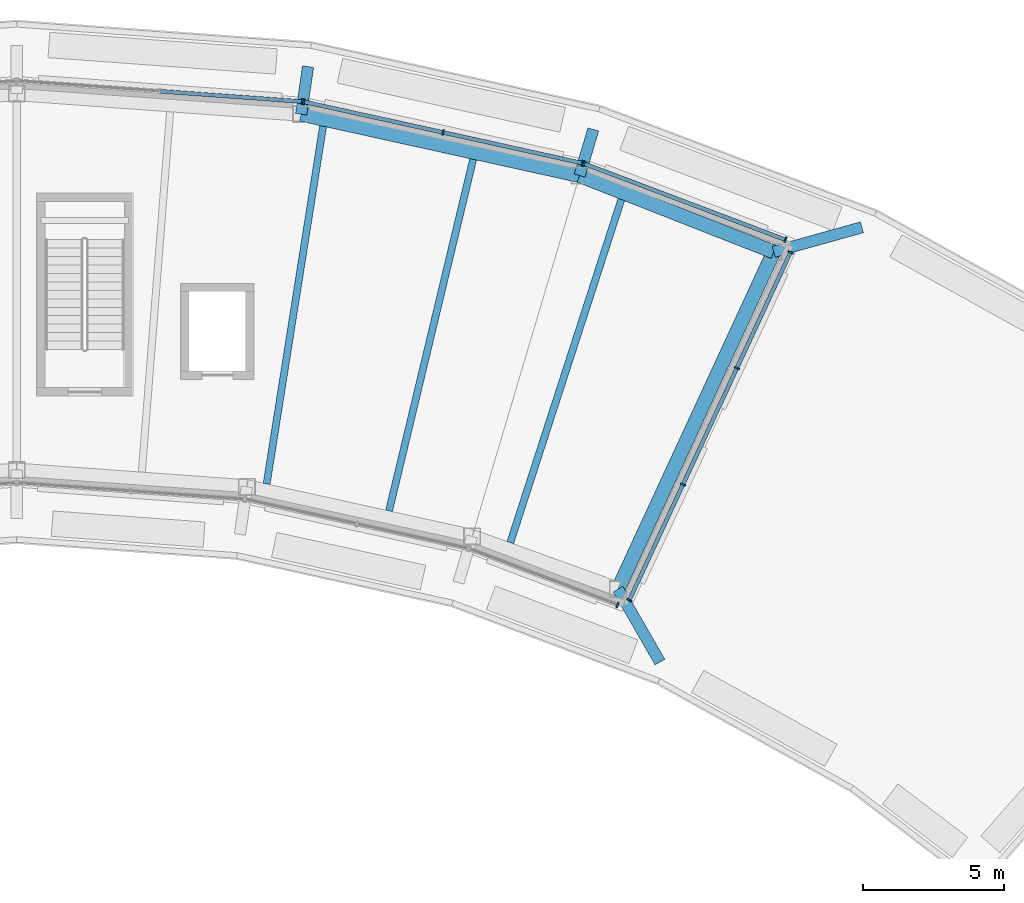
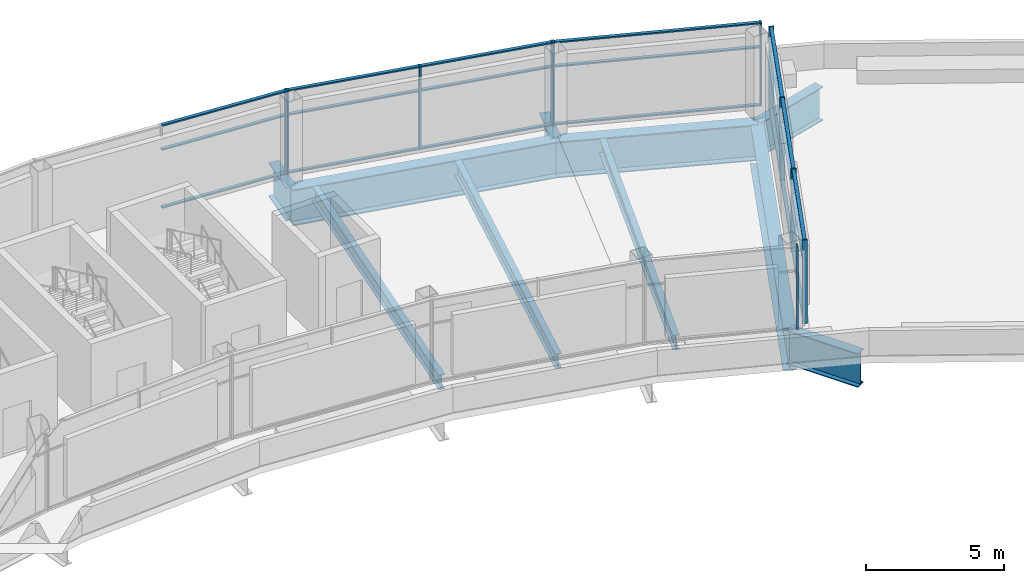
# One storey, part 4 of 9: 32 members, 10 beams, 5 elements without a shape of their own.
"""IFC4 building model written with IfcOpenShell, lengths in metres."""

from ifc_helpers import new_model, si_unit, direction, frame, origin, origin_2d, place, context, subcontext, project, spatial, rectangle, i_section, extrude, material, layer, layer_set, material_profile, profile_set, type_object, element, aggregate, save


model = new_model("IFC4")

# Units and contexts
model_context = context("Model", 3, precision=1e-05, world=origin(), true_north=direction((0.0, 1.0)))
body_context = subcontext(model_context, "Body", "Model", "MODEL_VIEW")
ifc_project = project(units=[si_unit("LENGTHUNIT", "METRE"), si_unit("AREAUNIT", "SQUARE_METRE"), si_unit("VOLUMEUNIT", "CUBIC_METRE"), si_unit("PLANEANGLEUNIT", "RADIAN"), si_unit("MASSUNIT", "GRAM", prefix="KILO")], contexts=[model_context])

# Site, building, storey
site_placement = place(None, origin())
site = spatial("IfcSite", under=ifc_project, at=site_placement, CompositionType="ELEMENT")
building_placement = place(site_placement, origin())
building = spatial("IfcBuilding", under=site, at=building_placement, Name="Tuul Gate Civic Tower", CompositionType="ELEMENT")
storey_placement = place(building_placement, frame((0.0, 0.0, 368.10009765625)))
storey = spatial("IfcBuildingStorey", under=building, at=storey_placement, Name="Crown tier 2 lower", CompositionType="ELEMENT", Elevation=368.10009765625)

# Curtain wall, members
ifc_material_1 = material(Name="Aluminium", Category="aluminium")
ifc_layer = layer(ifc_material_1, 0.199951171875)
ifc_layer_set = layer_set([ifc_layer], Name="Aluminium")
curtain_wall_type = type_object("IfcCurtainWallType", Name="Curtain wall CW5", PredefinedType="NOTDEFINED", material=ifc_layer_set)
curtain_wall_1_placement = place(storey_placement, origin())
curtain_wall_1 = element("IfcCurtainWall", 1, at=curtain_wall_1_placement, inside=storey, type_object=curtain_wall_type, Name="Curtain wall CW5", PredefinedType="NOTDEFINED")
ifc_material_2 = material(Name="Aluminium", Category="aluminium")
ifc_material_profile_1 = material_profile(ifc_material_2, rectangle(XDim=0.199951171875, YDim=0.06005859375, at=origin_2d()), Name="CW5 mullion")
ifc_profile_set_1 = profile_set([ifc_material_profile_1], Name="Aluminium")
member_type_1 = type_object("IfcMemberType", Name="CW5 mullion", PredefinedType="MULLION", material=ifc_profile_set_1)
member_1_placement = place(storey_placement, frame((29.413818359375, 4.6396484375, 0.0), z_axis=(0.0, 0.0, 1.0), x_axis=(-0.353645993643, -0.935379340792, 0.0)))
member_1 = element("IfcMember", 2, at=member_1_placement, type_object=member_type_1, Name="Mullion", PredefinedType="MULLION", context=body_context, shape_type="SweptSolid", body=[
    extrude(rectangle(XDim=0.199951171875, YDim=0.06005859375, at=origin_2d()), origin(), (0.0, 0.0, 1.0), 3.699951171875),
])
member_2_placement = place(storey_placement, frame((22.281005859375, 7.33642578125, 0.0), z_axis=(0.0, 0.0, 1.0), x_axis=(-0.353645993643, -0.935379340792, 0.0)))
member_2 = element("IfcMember", 3, at=member_2_placement, type_object=member_type_1, Name="Mullion", PredefinedType="MULLION", context=body_context, shape_type="SweptSolid", body=[
    extrude(rectangle(XDim=0.199951171875, YDim=0.06005859375, at=origin_2d()), origin(), (0.0, 0.0, 1.0), 3.699951171875),
])

curtain_wall_2_placement = place(storey_placement, origin())
curtain_wall_2 = element("IfcCurtainWall", 4, at=curtain_wall_2_placement, inside=storey, type_object=curtain_wall_type, Name="Curtain wall CW5", PredefinedType="NOTDEFINED")
member_3_placement = place(storey_placement, frame((22.2236328125, 7.353515625, 0.0), z_axis=(0.0, 0.0, 1.0), x_axis=(-0.215210934562, -0.976567587853, 0.0)))
member_3 = element("IfcMember", 5, at=member_3_placement, type_object=member_type_1, Name="Mullion", PredefinedType="MULLION", context=body_context, shape_type="SweptSolid", body=[
    extrude(rectangle(XDim=0.199951171875, YDim=0.06005859375, at=origin_2d()), origin(), (0.0, 0.0, 1.0), 3.699951171875),
])
member_4_placement = place(storey_placement, frame((17.291015625, 8.4404296875, 0.0), z_axis=(0.0, 0.0, 1.0), x_axis=(-0.215210934562, -0.976567587853, 0.0)))
member_4 = element("IfcMember", 6, at=member_4_placement, type_object=member_type_1, Name="Mullion", PredefinedType="MULLION", context=body_context, shape_type="SweptSolid", body=[
    extrude(rectangle(XDim=0.199951171875, YDim=0.06005859375, at=origin_2d()), origin(), (0.0, 0.0, 1.0), 3.699951171875),
])
member_5_placement = place(storey_placement, frame((12.3583984375, 9.527587890625, 0.0), z_axis=(0.0, 0.0, 1.0), x_axis=(-0.215210934562, -0.976567587853, 0.0)))
member_5 = element("IfcMember", 7, at=member_5_placement, type_object=member_type_1, Name="Mullion", PredefinedType="MULLION", context=body_context, shape_type="SweptSolid", body=[
    extrude(rectangle(XDim=0.199951171875, YDim=0.06005859375, at=origin_2d()), origin(), (0.0, 0.0, 1.0), 3.699951171875),
])

# Curtain wall, member
curtain_wall_3_placement = place(storey_placement, origin())
curtain_wall_3 = element("IfcCurtainWall", 8, at=curtain_wall_3_placement, inside=storey, type_object=curtain_wall_type, Name="Curtain wall CW5", PredefinedType="NOTDEFINED")
member_6_placement = place(storey_placement, frame((12.299072265625, 9.5361328125, 0.0), z_axis=(0.0, 0.0, 1.0), x_axis=(-0.072218938697, -0.997388803273, 0.0)))
member_6 = element("IfcMember", 9, at=member_6_placement, type_object=member_type_1, Name="Mullion", PredefinedType="MULLION", context=body_context, shape_type="SweptSolid", body=[
    extrude(rectangle(XDim=0.199951171875, YDim=0.06005859375, at=origin_2d()), origin(), (0.0, 0.0, 1.0), 3.699951171875),
])

curtain_wall_4_placement = place(storey_placement, origin())
curtain_wall_4 = element("IfcCurtainWall", 10, at=curtain_wall_4_placement, inside=storey, type_object=curtain_wall_type, Name="Curtain wall CW5", PredefinedType="NOTDEFINED")
member_7_placement = place(storey_placement, frame((23.469970703125, -8.29443359375, 0.0), z_axis=(0.0, 0.0, 1.0), x_axis=(0.353692000454, 0.935361945353, 0.0)))
member_7 = element("IfcMember", 11, at=member_7_placement, type_object=member_type_1, Name="Mullion", PredefinedType="MULLION", context=body_context, shape_type="SweptSolid", body=[
    extrude(rectangle(XDim=0.199951171875, YDim=0.06005859375, at=origin_2d()), origin(), (0.0, 0.0, 1.0), 3.699951171875),
])
aggregate(curtain_wall_4, [member_7])

# Curtain wall, members
curtain_wall_5_placement = place(storey_placement, origin())
curtain_wall_5 = element("IfcCurtainWall", 12, at=curtain_wall_5_placement, inside=storey, type_object=curtain_wall_type, Name="Curtain wall CW5", PredefinedType="NOTDEFINED")
member_8_placement = place(storey_placement, frame((23.888671875, -8.122802734375, 0.0), z_axis=(0.0, 0.0, 1.0), x_axis=(-0.90734881659, 0.420378549682, 0.0)))
member_8 = element("IfcMember", 13, at=member_8_placement, type_object=member_type_1, Name="Mullion", PredefinedType="MULLION", context=body_context, shape_type="SweptSolid", body=[
    extrude(rectangle(XDim=0.199951171875, YDim=0.06005859375, at=origin_2d()), origin(), (0.0, 0.0, 1.0), 3.699951171875),
])
member_9_placement = place(storey_placement, frame((25.78662109375, -4.02587890625, 0.0), z_axis=(0.0, 0.0, 1.0), x_axis=(-0.90734881659, 0.420378549682, 0.0)))
member_9 = element("IfcMember", 14, at=member_9_placement, type_object=member_type_1, Name="Mullion", PredefinedType="MULLION", context=body_context, shape_type="SweptSolid", body=[
    extrude(rectangle(XDim=0.199951171875, YDim=0.06005859375, at=origin_2d()), origin(), (0.0, 0.0, 1.0), 3.699951171875),
])
member_10_placement = place(storey_placement, frame((27.697265625, 0.097900390625, 0.0), z_axis=(0.0, 0.0, 1.0), x_axis=(-0.90734881659, 0.420378549682, 0.0)))
member_10 = element("IfcMember", 15, at=member_10_placement, type_object=member_type_1, Name="Mullion", PredefinedType="MULLION", context=body_context, shape_type="SweptSolid", body=[
    extrude(rectangle(XDim=0.199951171875, YDim=0.06005859375, at=origin_2d()), origin(), (0.0, 0.0, 1.0), 3.699951171875),
])
member_11_placement = place(storey_placement, frame((29.595458984375, 4.19482421875, 0.0), z_axis=(0.0, 0.0, 1.0), x_axis=(-0.90734881659, 0.420378549682, 0.0)))
member_11 = element("IfcMember", 16, at=member_11_placement, type_object=member_type_1, Name="Mullion", PredefinedType="MULLION", context=body_context, shape_type="SweptSolid", body=[
    extrude(rectangle(XDim=0.199951171875, YDim=0.06005859375, at=origin_2d()), origin(), (0.0, 0.0, 1.0), 3.699951171875),
])

# Member
ifc_material_3 = material(Name="Aluminium", Category="aluminium")
ifc_material_profile_2 = material_profile(ifc_material_3, rectangle(XDim=0.139892578125, YDim=0.06005859375, at=origin_2d()), Name="CW5 transom")
ifc_profile_set_2 = profile_set([ifc_material_profile_2], Name="Aluminium")
member_type_2 = type_object("IfcMemberType", Name="CW5 transom", PredefinedType="USERDEFINED", material=ifc_profile_set_2)
member_12_placement = place(storey_placement, frame((29.385986328125, 4.650146484375, 0.02978515625), z_axis=(-0.935382926589, 0.35363650921, 0.0), x_axis=(-0.35363650921, -0.935382926589, 0.0)))
member_12 = element("IfcMember", 17, at=member_12_placement, type_object=member_type_2, Name="Transom", ObjectType="TRANSOM", PredefinedType="USERDEFINED", context=body_context, shape_type="SweptSolid", body=[
    extrude(rectangle(XDim=0.139892578125, YDim=0.06005859375, at=origin_2d()), origin(), (0.0, 0.0, 1.0), 7.565673828125),
])

member_13_placement = place(storey_placement, frame((29.385986328125, 4.650146484375, 2.599853515625), z_axis=(-0.935382926589, 0.35363650921, 0.0), x_axis=(-0.35363650921, -0.935382926589, 0.0)))
member_13 = element("IfcMember", 18, at=member_13_placement, type_object=member_type_2, Name="Transom", ObjectType="TRANSOM", PredefinedType="USERDEFINED", context=body_context, shape_type="SweptSolid", body=[
    extrude(rectangle(XDim=0.139892578125, YDim=0.06005859375, at=origin_2d()), origin(), (0.0, 0.0, 1.0), 7.565673828125),
])

member_14_placement = place(storey_placement, frame((29.385986328125, 4.650146484375, 3.669921875), z_axis=(-0.935382926589, 0.35363650921, 0.0), x_axis=(-0.35363650921, -0.935382926589, 0.0)))
member_14 = element("IfcMember", 19, at=member_14_placement, type_object=member_type_2, Name="Transom", ObjectType="TRANSOM", PredefinedType="USERDEFINED", context=body_context, shape_type="SweptSolid", body=[
    extrude(rectangle(XDim=0.139892578125, YDim=0.06005859375, at=origin_2d()), origin(), (0.0, 0.0, 1.0), 7.565673828125),
])

aggregate(curtain_wall_1, [member_1, member_2, member_12, member_13, member_14])

member_15_placement = place(storey_placement, frame((22.1943359375, 7.35986328125, 0.02978515625), z_axis=(-0.976563099968, 0.21523129833, 0.0), x_axis=(-0.21523129833, -0.976563099968, 0.0)))
member_15 = element("IfcMember", 20, at=member_15_placement, type_object=member_type_2, Name="Transom", ObjectType="TRANSOM", PredefinedType="USERDEFINED", context=body_context, shape_type="SweptSolid", body=[
    extrude(rectangle(XDim=0.139892578125, YDim=0.06005859375, at=origin_2d()), origin(), (0.0, 0.0, 1.0), 4.990966796875),
])

member_16_placement = place(storey_placement, frame((22.1943359375, 7.35986328125, 2.599853515625), z_axis=(-0.976563099968, 0.21523129833, 0.0), x_axis=(-0.21523129833, -0.976563099968, 0.0)))
member_16 = element("IfcMember", 21, at=member_16_placement, type_object=member_type_2, Name="Transom", ObjectType="TRANSOM", PredefinedType="USERDEFINED", context=body_context, shape_type="SweptSolid", body=[
    extrude(rectangle(XDim=0.139892578125, YDim=0.06005859375, at=origin_2d()), origin(), (0.0, 0.0, 1.0), 4.990966796875),
])

member_17_placement = place(storey_placement, frame((22.1943359375, 7.35986328125, 3.669921875), z_axis=(-0.976563099968, 0.21523129833, 0.0), x_axis=(-0.21523129833, -0.976563099968, 0.0)))
member_17 = element("IfcMember", 22, at=member_17_placement, type_object=member_type_2, Name="Transom", ObjectType="TRANSOM", PredefinedType="USERDEFINED", context=body_context, shape_type="SweptSolid", body=[
    extrude(rectangle(XDim=0.139892578125, YDim=0.06005859375, at=origin_2d()), origin(), (0.0, 0.0, 1.0), 4.990966796875),
])

member_18_placement = place(storey_placement, frame((17.26171875, 8.447021484375, 0.02978515625), z_axis=(-0.976573380509, 0.215184647408, 0.0), x_axis=(-0.215184647408, -0.976573380509, 0.0)))
member_18 = element("IfcMember", 23, at=member_18_placement, type_object=member_type_2, Name="Transom", ObjectType="TRANSOM", PredefinedType="USERDEFINED", context=body_context, shape_type="SweptSolid", body=[
    extrude(rectangle(XDim=0.139892578125, YDim=0.06005859375, at=origin_2d()), origin(), (0.0, 0.0, 1.0), 4.990966796875),
])

member_19_placement = place(storey_placement, frame((17.26171875, 8.447021484375, 2.599853515625), z_axis=(-0.976573380509, 0.215184647408, 0.0), x_axis=(-0.215184647408, -0.976573380509, 0.0)))
member_19 = element("IfcMember", 24, at=member_19_placement, type_object=member_type_2, Name="Transom", ObjectType="TRANSOM", PredefinedType="USERDEFINED", context=body_context, shape_type="SweptSolid", body=[
    extrude(rectangle(XDim=0.139892578125, YDim=0.06005859375, at=origin_2d()), origin(), (0.0, 0.0, 1.0), 4.990966796875),
])

member_20_placement = place(storey_placement, frame((17.26171875, 8.447021484375, 3.669921875), z_axis=(-0.976573380509, 0.215184647408, 0.0), x_axis=(-0.215184647408, -0.976573380509, 0.0)))
member_20 = element("IfcMember", 25, at=member_20_placement, type_object=member_type_2, Name="Transom", ObjectType="TRANSOM", PredefinedType="USERDEFINED", context=body_context, shape_type="SweptSolid", body=[
    extrude(rectangle(XDim=0.139892578125, YDim=0.06005859375, at=origin_2d()), origin(), (0.0, 0.0, 1.0), 4.990966796875),
])

aggregate(curtain_wall_2, [member_3, member_4, member_5, member_15, member_16, member_17, member_18, member_19, member_20])

member_21_placement = place(storey_placement, frame((12.26904296875, 9.538330078125, 0.02978515625), z_axis=(-0.997387197024, 0.072241118576, 0.0), x_axis=(-0.072241118576, -0.997387197024, 0.0)))
member_21 = element("IfcMember", 26, at=member_21_placement, type_object=member_type_2, Name="Transom", ObjectType="TRANSOM", PredefinedType="USERDEFINED", context=body_context, shape_type="SweptSolid", body=[
    extrude(rectangle(XDim=0.139892578125, YDim=0.06005859375, at=origin_2d()), origin(), (0.0, 0.0, 1.0), 4.991455078125),
])

member_22_placement = place(storey_placement, frame((12.26904296875, 9.538330078125, 2.599853515625), z_axis=(-0.997387197024, 0.072241118576, 0.0), x_axis=(-0.072241118576, -0.997387197024, 0.0)))
member_22 = element("IfcMember", 27, at=member_22_placement, type_object=member_type_2, Name="Transom", ObjectType="TRANSOM", PredefinedType="USERDEFINED", context=body_context, shape_type="SweptSolid", body=[
    extrude(rectangle(XDim=0.139892578125, YDim=0.06005859375, at=origin_2d()), origin(), (0.0, 0.0, 1.0), 4.991455078125),
])

member_23_placement = place(storey_placement, frame((12.26904296875, 9.538330078125, 3.669921875), z_axis=(-0.997387197024, 0.072241118576, 0.0), x_axis=(-0.072241118576, -0.997387197024, 0.0)))
member_23 = element("IfcMember", 28, at=member_23_placement, type_object=member_type_2, Name="Transom", ObjectType="TRANSOM", PredefinedType="USERDEFINED", context=body_context, shape_type="SweptSolid", body=[
    extrude(rectangle(XDim=0.139892578125, YDim=0.06005859375, at=origin_2d()), origin(), (0.0, 0.0, 1.0), 4.991455078125),
])

aggregate(curtain_wall_3, [member_6, member_21, member_22, member_23])

member_24_placement = place(storey_placement, frame((23.901123046875, -8.095458984375, 0.02978515625), z_axis=(0.420426903272, 0.907326412602, 0.0), x_axis=(-0.907326412602, 0.420426903272, 0.0)))
member_24 = element("IfcMember", 29, at=member_24_placement, type_object=member_type_2, Name="Transom", ObjectType="TRANSOM", PredefinedType="USERDEFINED", context=body_context, shape_type="SweptSolid", body=[
    extrude(rectangle(XDim=0.139892578125, YDim=0.06005859375, at=origin_2d()), origin(), (0.0, 0.0, 1.0), 4.455078125),
])

member_25_placement = place(storey_placement, frame((23.901123046875, -8.095458984375, 2.599853515625), z_axis=(0.420426903272, 0.907326412602, 0.0), x_axis=(-0.907326412602, 0.420426903272, 0.0)))
member_25 = element("IfcMember", 30, at=member_25_placement, type_object=member_type_2, Name="Transom", ObjectType="TRANSOM", PredefinedType="USERDEFINED", context=body_context, shape_type="SweptSolid", body=[
    extrude(rectangle(XDim=0.139892578125, YDim=0.06005859375, at=origin_2d()), origin(), (0.0, 0.0, 1.0), 4.455078125),
])

member_26_placement = place(storey_placement, frame((23.901123046875, -8.095458984375, 3.669921875), z_axis=(0.420426903272, 0.907326412602, 0.0), x_axis=(-0.907326412602, 0.420426903272, 0.0)))
member_26 = element("IfcMember", 31, at=member_26_placement, type_object=member_type_2, Name="Transom", ObjectType="TRANSOM", PredefinedType="USERDEFINED", context=body_context, shape_type="SweptSolid", body=[
    extrude(rectangle(XDim=0.139892578125, YDim=0.06005859375, at=origin_2d()), origin(), (0.0, 0.0, 1.0), 4.455078125),
])

member_27_placement = place(storey_placement, frame((25.79931640625, -3.998779296875, 0.02978515625), z_axis=(0.420386692356, 0.90734504401, 0.0), x_axis=(-0.90734504401, 0.420386692356, 0.0)))
member_27 = element("IfcMember", 32, at=member_27_placement, type_object=member_type_2, Name="Transom", ObjectType="TRANSOM", PredefinedType="USERDEFINED", context=body_context, shape_type="SweptSolid", body=[
    extrude(rectangle(XDim=0.139892578125, YDim=0.06005859375, at=origin_2d()), origin(), (0.0, 0.0, 1.0), 4.485107421875),
])

member_28_placement = place(storey_placement, frame((25.79931640625, -3.998779296875, 2.599853515625), z_axis=(0.420386692356, 0.90734504401, 0.0), x_axis=(-0.90734504401, 0.420386692356, 0.0)))
member_28 = element("IfcMember", 33, at=member_28_placement, type_object=member_type_2, Name="Transom", ObjectType="TRANSOM", PredefinedType="USERDEFINED", context=body_context, shape_type="SweptSolid", body=[
    extrude(rectangle(XDim=0.139892578125, YDim=0.06005859375, at=origin_2d()), origin(), (0.0, 0.0, 1.0), 4.485107421875),
])

member_29_placement = place(storey_placement, frame((25.79931640625, -3.998779296875, 3.669921875), z_axis=(0.420386692356, 0.90734504401, 0.0), x_axis=(-0.90734504401, 0.420386692356, 0.0)))
member_29 = element("IfcMember", 34, at=member_29_placement, type_object=member_type_2, Name="Transom", ObjectType="TRANSOM", PredefinedType="USERDEFINED", context=body_context, shape_type="SweptSolid", body=[
    extrude(rectangle(XDim=0.139892578125, YDim=0.06005859375, at=origin_2d()), origin(), (0.0, 0.0, 1.0), 4.485107421875),
])

member_30_placement = place(storey_placement, frame((27.7099609375, 0.125244140625, 0.02978515625), z_axis=(0.420381787955, 0.907347316278, 0.0), x_axis=(-0.907347316278, 0.420381787955, 0.0)))
member_30 = element("IfcMember", 35, at=member_30_placement, type_object=member_type_2, Name="Transom", ObjectType="TRANSOM", PredefinedType="USERDEFINED", context=body_context, shape_type="SweptSolid", body=[
    extrude(rectangle(XDim=0.139892578125, YDim=0.06005859375, at=origin_2d()), origin(), (0.0, 0.0, 1.0), 4.455078125),
])

member_31_placement = place(storey_placement, frame((27.7099609375, 0.125244140625, 2.599853515625), z_axis=(0.420381787955, 0.907347316278, 0.0), x_axis=(-0.907347316278, 0.420381787955, 0.0)))
member_31 = element("IfcMember", 36, at=member_31_placement, type_object=member_type_2, Name="Transom", ObjectType="TRANSOM", PredefinedType="USERDEFINED", context=body_context, shape_type="SweptSolid", body=[
    extrude(rectangle(XDim=0.139892578125, YDim=0.06005859375, at=origin_2d()), origin(), (0.0, 0.0, 1.0), 4.455078125),
])

member_32_placement = place(storey_placement, frame((27.7099609375, 0.125244140625, 3.669921875), z_axis=(0.420381787955, 0.907347316278, 0.0), x_axis=(-0.907347316278, 0.420381787955, 0.0)))
member_32 = element("IfcMember", 37, at=member_32_placement, type_object=member_type_2, Name="Transom", ObjectType="TRANSOM", PredefinedType="USERDEFINED", context=body_context, shape_type="SweptSolid", body=[
    extrude(rectangle(XDim=0.139892578125, YDim=0.06005859375, at=origin_2d()), origin(), (0.0, 0.0, 1.0), 4.455078125),
])

aggregate(curtain_wall_5, [member_8, member_9, member_10, member_11, member_24, member_25, member_26, member_27, member_28, member_29, member_30, member_31, member_32])

# Beams
ifc_material_4 = material(Name="Steel S355", Category="steel")
ifc_material_profile_3 = material_profile(ifc_material_4, i_section(OverallWidth=0.39990234375, OverallDepth=1.5, WebThickness=0.02490234375, FlangeThickness=0.0400390625, at=origin_2d()), Name="PG1500x400x25x40")
ifc_profile_set_3 = profile_set([ifc_material_profile_3], Name="Steel S355")
beam_type_1 = type_object("IfcBeamType", Name="STR-FLOOR BEAM-PG1500x400x25x40", PredefinedType="BEAM", material=ifc_profile_set_3)
beam_1_placement = place(storey_placement, frame((32.1240234375, 5.08154296875, -1.050048828125), z_axis=(-0.96332772163, -0.26832759966, 0.0), x_axis=(0.26832759966, -0.96332772163, 0.0)))
element("IfcBeam", 38, at=beam_1_placement, inside=storey, type_object=beam_type_1, Name="Ring girder stub", PredefinedType="BEAM", context=body_context, shape_type="SweptSolid", body=[
    extrude(i_section(OverallWidth=0.39990234375, OverallDepth=1.5, WebThickness=0.02490234375, FlangeThickness=0.0400390625, at=origin_2d()), origin(), (0.0, 0.0, 1.0), 3.240966796875),
])
beam_2_placement = place(storey_placement, frame((22.611328125, 8.548583984375, -1.050048828125), z_axis=(-0.285180008962, -0.958473975906, 0.0), x_axis=(0.958473975906, -0.285180008962, 0.0)))
element("IfcBeam", 39, at=beam_2_placement, inside=storey, type_object=beam_type_1, Name="Ring girder stub", PredefinedType="BEAM", context=body_context, shape_type="SweptSolid", body=[
    extrude(i_section(OverallWidth=0.39990234375, OverallDepth=1.5, WebThickness=0.02490234375, FlangeThickness=0.0400390625, at=origin_2d()), origin(), (0.0, 0.0, 1.0), 1.705322265625),
])
beam_3_placement = place(storey_placement, frame((12.5087890625, 10.775146484375, -1.050048828125), z_axis=(-0.143626233664, -0.98963200484, 0.0), x_axis=(0.98963200484, -0.143626233664, 0.0)))
element("IfcBeam", 40, at=beam_3_placement, inside=storey, type_object=beam_type_1, Name="Ring girder stub", PredefinedType="BEAM", context=body_context, shape_type="SweptSolid", body=[
    extrude(i_section(OverallWidth=0.39990234375, OverallDepth=1.5, WebThickness=0.02490234375, FlangeThickness=0.0400390625, at=origin_2d()), origin(), (0.0, 0.0, 1.0), 1.704833984375),
])
beam_4_placement = place(storey_placement, frame((24.972412109375, -10.31591796875, -1.050048828125), z_axis=(-0.498994271023, 0.866605283556, 0.0), x_axis=(-0.866605283556, -0.498994271023, 0.0)))
element("IfcBeam", 41, at=beam_4_placement, inside=storey, type_object=beam_type_1, Name="Ring girder stub", PredefinedType="BEAM", context=body_context, shape_type="SweptSolid", body=[
    extrude(i_section(OverallWidth=0.39990234375, OverallDepth=1.5, WebThickness=0.02490234375, FlangeThickness=0.0400390625, at=origin_2d()), origin(), (0.0, 0.0, 1.0), 2.980712890625),
])
ifc_material_5 = material(Name="Steel S355", Category="steel")
ifc_material_profile_4 = material_profile(ifc_material_5, i_section(OverallWidth=0.25, OverallDepth=0.64990234375, WebThickness=0.011962890625, FlangeThickness=0.02001953125, at=origin_2d()), Name="PG650x250x12x20")
ifc_profile_set_4 = profile_set([ifc_material_profile_4], Name="Steel S355")
beam_type_2 = type_object("IfcBeamType", Name="STR-FLOOR BEAM-PG650x250x12x20", PredefinedType="BEAM", material=ifc_profile_set_4)
beam_5_placement = place(storey_placement, frame((19.66943359375, -6.088134765625, -0.625), z_axis=(0.308005003095, 0.951384737143, 0.0), x_axis=(-0.951384737143, 0.308005003095, 0.0)))
element("IfcBeam", 42, at=beam_5_placement, inside=storey, type_object=beam_type_2, Name="Floor beam", PredefinedType="BEAM", context=body_context, shape_type="SweptSolid", body=[
    extrude(i_section(OverallWidth=0.25, OverallDepth=0.64990234375, WebThickness=0.011962890625, FlangeThickness=0.02001953125, at=origin_2d()), origin(), (0.0, 0.0, 1.0), 12.773681640625),
])
beam_6_placement = place(storey_placement, frame((15.37646484375, -4.961669921875, -0.625), z_axis=(0.232696345939, 0.972549438634, 0.0), x_axis=(-0.972549438634, 0.232696345939, 0.0)))
element("IfcBeam", 43, at=beam_6_placement, inside=storey, type_object=beam_type_2, Name="Floor beam", PredefinedType="BEAM", context=body_context, shape_type="SweptSolid", body=[
    extrude(i_section(OverallWidth=0.25, OverallDepth=0.64990234375, WebThickness=0.011962890625, FlangeThickness=0.02001953125, at=origin_2d()), origin(), (0.0, 0.0, 1.0), 12.802001953125),
])
beam_7_placement = place(storey_placement, frame((11.04150390625, -4.006103515625, -0.625), z_axis=(0.155924445114, 0.987768984842, 0.0), x_axis=(-0.987768984842, 0.155924445114, 0.0)))
element("IfcBeam", 44, at=beam_7_placement, inside=storey, type_object=beam_type_2, Name="Floor beam", PredefinedType="BEAM", context=body_context, shape_type="SweptSolid", body=[
    extrude(i_section(OverallWidth=0.25, OverallDepth=0.64990234375, WebThickness=0.011962890625, FlangeThickness=0.02001953125, at=origin_2d()), origin(), (0.0, 0.0, 1.0), 12.823486328125),
])
ifc_material_6 = material(Name="Steel S355", Category="steel")
ifc_material_profile_5 = material_profile(ifc_material_6, i_section(OverallWidth=0.5, OverallDepth=1.60009765625, WebThickness=0.02490234375, FlangeThickness=0.044921875, at=origin_2d()), Name="PG1600x500x25x45")
ifc_profile_set_5 = profile_set([ifc_material_profile_5], Name="Steel S355")
beam_type_3 = type_object("IfcBeamType", Name="STR-RING BEAM-PG1600x500x25x45", PredefinedType="BEAM", material=ifc_profile_set_5)
beam_8_placement = place(storey_placement, frame((29.001953125, 4.2119140625, -1.10009765625), z_axis=(-0.930729001166, 0.365709620311, 0.0), x_axis=(-0.365709620311, -0.930729001166, 0.0)))
element("IfcBeam", 45, at=beam_8_placement, inside=storey, type_object=beam_type_3, Name="Ring girder", PredefinedType="BEAM", context=body_context, shape_type="SweptSolid", body=[
    extrude(i_section(OverallWidth=0.5, OverallDepth=1.60009765625, WebThickness=0.02490234375, FlangeThickness=0.044921875, at=origin_2d()), origin(), (0.0, 0.0, 1.0), 7.388671875),
])
beam_9_placement = place(storey_placement, frame((22.125, 6.9140625, -1.10009765625), z_axis=(-0.976553157305, 0.215276405948, 0.0), x_axis=(-0.215276405948, -0.976553157305, 0.0)))
element("IfcBeam", 46, at=beam_9_placement, inside=storey, type_object=beam_type_3, Name="Ring girder", PredefinedType="BEAM", context=body_context, shape_type="SweptSolid", body=[
    extrude(i_section(OverallWidth=0.5, OverallDepth=1.60009765625, WebThickness=0.02490234375, FlangeThickness=0.044921875, at=origin_2d()), origin(), (0.0, 0.0, 1.0), 10.097900390625),
])
ifc_material_7 = material(Name="Steel S355", Category="steel")
ifc_material_profile_6 = material_profile(ifc_material_7, i_section(OverallWidth=0.5, OverallDepth=1.89990234375, WebThickness=0.02490234375, FlangeThickness=0.0400390625, at=origin_2d()), Name="PG1900x500x25x40")
ifc_profile_set_6 = profile_set([ifc_material_profile_6], Name="Steel S355")
beam_type_4 = type_object("IfcBeamType", Name="STR-RING BEAM-PG1900x500x25x40", PredefinedType="BEAM", material=ifc_profile_set_6)
beam_10_placement = place(storey_placement, frame((23.485107421875, -7.73291015625, -1.25), z_axis=(0.419299384605, 0.907848019258, 0.0), x_axis=(-0.907848019258, 0.419299384605, 0.0)))
element("IfcBeam", 47, at=beam_10_placement, inside=storey, type_object=beam_type_4, Name="Ring girder", PredefinedType="BEAM", context=body_context, shape_type="SweptSolid", body=[
    extrude(i_section(OverallWidth=0.5, OverallDepth=1.89990234375, WebThickness=0.02490234375, FlangeThickness=0.0400390625, at=origin_2d()), origin(), (0.0, 0.0, 1.0), 13.1572265625),
])

save(model, "model.ifc")
